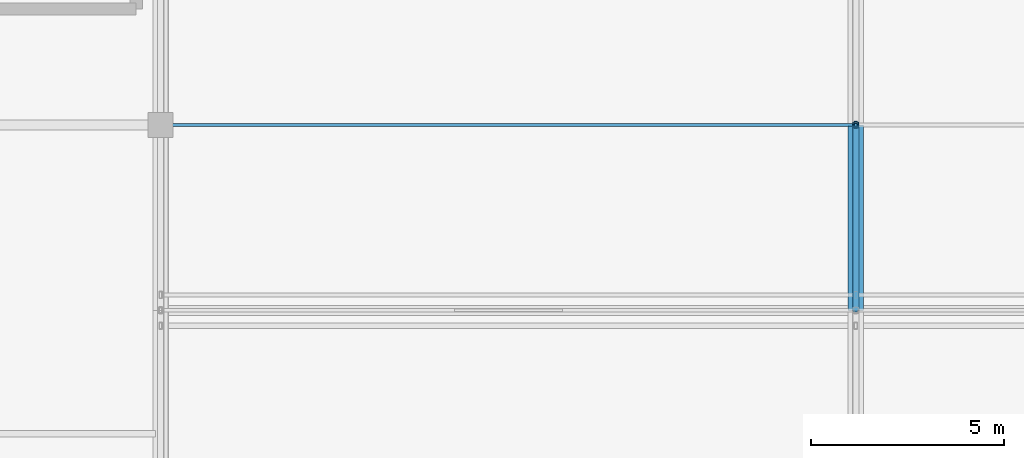
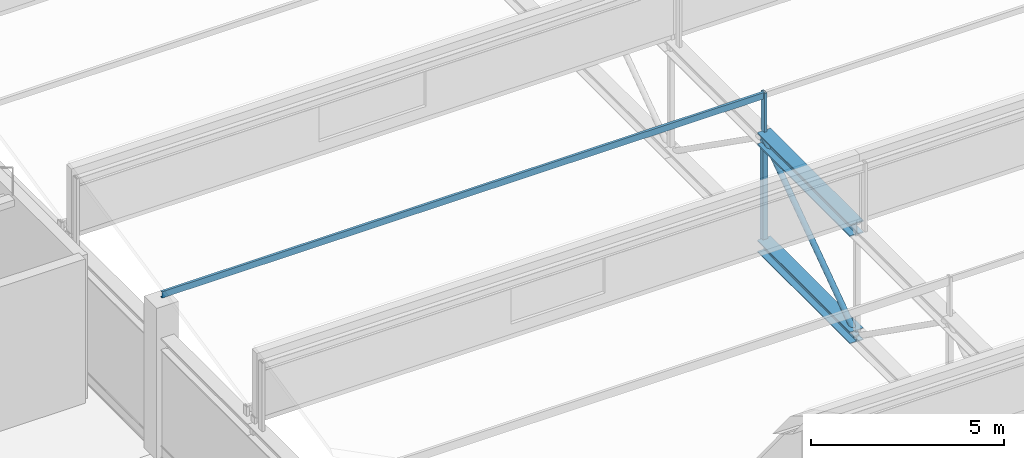
# One storey, part 20 of 136: 4 members, 2 beams.
"""IFC4 building model written with IfcOpenShell, lengths in metres."""

import ifcopenshell
import ifcopenshell.guid

model = None  # the IFC model being written
_history = None  # IfcOwnerHistory: only IFC2X3 demands one
_inside = {}  # id of a spatial element -> (the spatial element, [elements in it])
_under = {}  # id of a project, library or spatial element -> (it, [spatial elements below it])
_declared = {}  # id of a project -> (the project, [libraries it declares])
_typed = {}  # id of a type object -> (the type object, [elements of that type])
_made_of = {}  # id of a material, layer set ... -> (it, [elements and type objects made of it])


def new_model(schema):
    """Start an empty IFC model of exactly this schema.

    Asked for "IFC4X3", IfcOpenShell would pick the latest addendum, in which some entities
    have other attributes; the version numbers below select the first issue.
    IFC2X3 requires an IfcOwnerHistory on every rooted entity: one is made here for all.
    """
    global model, _history
    if schema == "IFC4X3":
        model = ifcopenshell.file(schema_version=(4, 3, 0, 0))
    else:
        model = ifcopenshell.file(schema=schema)
    _inside.clear()
    _under.clear()
    _declared.clear()
    _typed.clear()
    _made_of.clear()
    _history = None
    if model.schema == "IFC2X3":
        org = make("IfcOrganization", Name="unknown")
        user = make(
            "IfcPersonAndOrganization",
            ThePerson=make("IfcPerson", FamilyName="unknown"),
            TheOrganization=org,
        )
        app = make(
            "IfcApplication",
            ApplicationDeveloper=org,
            Version="unknown",
            ApplicationFullName="unknown",
            ApplicationIdentifier="unknown",
        )
        _history = make(
            "IfcOwnerHistory",
            OwningUser=user,
            OwningApplication=app,
            ChangeAction="ADDED",
            CreationDate=0,
        )
    return model


def make(cls, **values):
    """One entity of the class cls with the attributes given. An attribute that is None is left unset."""
    return model.create_entity(
        cls, **{name: value for name, value in values.items() if value is not None}
    )


def rooted(cls, **values):
    """An entity with a GlobalId (a new one), such as an element, a storey or a relation."""
    return make(cls, GlobalId=ifcopenshell.guid.new(), OwnerHistory=_history, **values)


def si_unit(unit_type, name, prefix=None):
    """IfcSIUnit, for example si_unit("LENGTHUNIT", "METRE", prefix="MILLI")."""
    return make("IfcSIUnit", UnitType=unit_type, Prefix=prefix, Name=name)


def assignment(units):
    """IfcUnitAssignment: the units of a project."""
    return None if units is None else make("IfcUnitAssignment", Units=units)


def point(xyz):
    """IfcCartesianPoint."""
    return None if xyz is None else make("IfcCartesianPoint", Coordinates=xyz)


def direction(xyz):
    """IfcDirection."""
    return None if xyz is None else make("IfcDirection", DirectionRatios=xyz)


def frame(location, z_axis=None, x_axis=None):
    """IfcAxis2Placement3D, a coordinate frame: its origin and axes. An axis left out is left unset."""
    return make(
        "IfcAxis2Placement3D",
        Location=point(location),
        Axis=direction(z_axis),
        RefDirection=direction(x_axis),
    )


def frame_2d(location, x_axis=None):
    """IfcAxis2Placement2D, a coordinate frame in the plane: its origin and x axis."""
    return make(
        "IfcAxis2Placement2D", Location=point(location), RefDirection=direction(x_axis)
    )


def origin():
    """The frame at (0, 0, 0) with its axes left unset."""
    return frame((0.0, 0.0, 0.0))


def origin_2d():
    """The frame at (0, 0) in the plane with its x axis left unset."""
    return frame_2d((0.0, 0.0))


def place(relative_to, where):
    """IfcLocalPlacement: puts the frame where relative to a parent placement (None: the world)."""
    return make(
        "IfcLocalPlacement", PlacementRelTo=relative_to, RelativePlacement=where
    )


def context(
    kind, dimensions, precision=None, world=None, true_north=None, identifier=None
):
    """IfcGeometricRepresentationContext, for example the 3D "Model" context."""
    return make(
        "IfcGeometricRepresentationContext",
        ContextIdentifier=identifier,
        ContextType=kind,
        CoordinateSpaceDimension=dimensions,
        Precision=precision,
        WorldCoordinateSystem=world,
        TrueNorth=true_north,
    )


def subcontext(parent, identifier, kind, view, scale=None):
    """IfcGeometricRepresentationSubContext, for example "Body" below "Model"."""
    return make(
        "IfcGeometricRepresentationSubContext",
        ContextIdentifier=identifier,
        ContextType=kind,
        ParentContext=parent,
        TargetScale=scale,
        TargetView=view,
    )


def project(units=None, contexts=None):
    """IfcProject with its units and contexts."""
    return rooted(
        "IfcProject",
        Name="project",
        RepresentationContexts=contexts,
        UnitsInContext=assignment(units),
    )


def spatial(cls, under=None, at=None, **own):
    """A site, building, storey or space (cls), placed at a placement, below another one or the project."""
    s = rooted(cls, ObjectPlacement=at, **own)
    if under is not None:
        _under.setdefault(under.id(), (under, []))[1].append(s)
    return s


def profile(cls, at=None, kind="AREA", **sizes):
    """A parametric profile (cls). Its sizes go by their IFC names, for example OverallWidth=200.0."""
    return make(cls, ProfileType=kind, Position=at, **sizes)


def hollow_rectangle(**sizes):
    """IfcRectangleHollowProfileDef."""
    return profile("IfcRectangleHollowProfileDef", **sizes)


def hollow_circle(**sizes):
    """IfcCircleHollowProfileDef."""
    return profile("IfcCircleHollowProfileDef", **sizes)


def i_section(**sizes):
    """IfcIShapeProfileDef."""
    return profile("IfcIShapeProfileDef", **sizes)


def u_section(**sizes):
    """IfcUShapeProfileDef."""
    return profile("IfcUShapeProfileDef", **sizes)


def extrude(swept, where, along, depth):
    """IfcExtrudedAreaSolid: the profile swept, set in the frame where, extruded along a direction by depth."""
    return make(
        "IfcExtrudedAreaSolid",
        SweptArea=swept,
        Position=where,
        ExtrudedDirection=direction(along),
        Depth=depth,
    )


def shape(context_of_items, identifier, shape_type, items):
    """IfcShapeRepresentation: the items that make up one representation, for example the "Body"."""
    return make(
        "IfcShapeRepresentation",
        ContextOfItems=context_of_items,
        RepresentationIdentifier=identifier,
        RepresentationType=shape_type,
        Items=items,
    )


def material(Name=None, Category=None):
    """IfcMaterial."""
    return make("IfcMaterial", Name=Name, Category=Category)


def material_profile(
    of_material, cross_section, Name=None, Category=None, Priority=None
):
    """IfcMaterialProfile: a cross section and its material."""
    return make(
        "IfcMaterialProfile",
        Name=Name,
        Material=of_material,
        Profile=cross_section,
        Priority=Priority,
        Category=Category,
    )


def profile_set(profiles, Name=None, composite=None):
    """IfcMaterialProfileSet."""
    return make(
        "IfcMaterialProfileSet",
        Name=Name,
        MaterialProfiles=profiles,
        CompositeProfile=composite,
    )


def made_of(thing, what):
    """Note that an element or type object is made of a material, layer set ...; save() writes the relation."""
    if what is not None:
        _made_of.setdefault(what.id(), (what, []))[1].append(thing)
    return thing


def type_object(cls, material=None, **own):
    """A type object (cls), such as IfcWallType, which elements share."""
    return made_of(rooted(cls, **own), material)


def element(
    cls,
    number,
    at=None,
    inside=None,
    cuts=None,
    type_object=None,
    material=None,
    context=None,
    identifier="Body",
    shape_type=None,
    held_by="IfcProductDefinitionShape",
    body=None,
    shapes=None,
    **own,
):
    """One element of the class cls, such as IfcWall. Its Tag is "e" and its number.

    at: its placement. inside: the storey or other place that contains it. cuts: it is an
    opening in that element (IfcRelVoidsElement). A single representation is given by context,
    identifier, shape_type and body (its items); several are given by shapes. held_by: the class
    of the entity that holds the representations. save() writes the other relations.
    """
    e = rooted(cls, Tag="e%d" % number, ObjectPlacement=at, **own)
    if body is not None:
        shapes = [shape(context, identifier, shape_type, body)]
    if shapes is not None:
        e.Representation = make(held_by, Representations=shapes)
    if inside is not None:
        _inside.setdefault(inside.id(), (inside, []))[1].append(e)
    if cuts is not None:
        rooted(
            "IfcRelVoidsElement", RelatingBuildingElement=cuts, RelatedOpeningElement=e
        )
    if type_object is not None:
        _typed.setdefault(type_object.id(), (type_object, []))[1].append(e)
    return made_of(e, material)


def aggregate(whole, parts):
    """IfcRelAggregates: a whole, such as a stair, and the parts it consists of."""
    return rooted("IfcRelAggregates", RelatingObject=whole, RelatedObjects=parts)


def save(model, path):
    """Write the relations noted so far, then the file.

    IfcRelAggregates (storeys below a building ...), IfcRelContainedInSpatialStructure (elements
    in a storey), IfcRelDefinesByType, IfcRelAssociatesMaterial and IfcRelDeclares: one each for
    every whole, place, type object, material and project.
    """
    for whole, parts in _under.values():
        aggregate(whole, parts)
    for where, things in _inside.values():
        rooted(
            "IfcRelContainedInSpatialStructure",
            RelatedElements=things,
            RelatingStructure=where,
        )
    for kind, things in _typed.values():
        rooted("IfcRelDefinesByType", RelatedObjects=things, RelatingType=kind)
    for what, things in _made_of.values():
        rooted("IfcRelAssociatesMaterial", RelatedObjects=things, RelatingMaterial=what)
    for by, libraries in _declared.values():
        rooted("IfcRelDeclares", RelatingContext=by, RelatedDefinitions=libraries)
    model.write(path)


model = new_model("IFC4")

# Units and contexts
model_context = context("Model", 3, precision=1e-05, world=origin(), true_north=direction((0.0, 1.0)))
body_context = subcontext(model_context, "Body", "Model", "MODEL_VIEW")
ifc_project = project(units=[si_unit("LENGTHUNIT", "METRE"), si_unit("AREAUNIT", "SQUARE_METRE"), si_unit("VOLUMEUNIT", "CUBIC_METRE"), si_unit("PLANEANGLEUNIT", "RADIAN"), si_unit("MASSUNIT", "GRAM", prefix="KILO")], contexts=[model_context])

# Site, building, storey
site_placement = place(None, origin())
site = spatial("IfcSite", under=ifc_project, at=site_placement, CompositionType="ELEMENT")
building_placement = place(site_placement, origin())
building = spatial("IfcBuilding", under=site, at=building_placement, Name="Kisiwana Market Hall", CompositionType="ELEMENT")
storey_placement = place(building_placement, frame((0.0, 0.0, 16.800048828125)))
storey = spatial("IfcBuildingStorey", under=building, at=storey_placement, Name="L03", CompositionType="ELEMENT", Elevation=16.800048828125)

# Beams
ifc_material_1 = material(Name="Steel S355", Category="steel")
ifc_material_profile_1 = material_profile(ifc_material_1, i_section(OverallWidth=0.394775390625, OverallDepth=0.381103515625, WebThickness=0.018310546875, FlangeThickness=0.0302734375, at=origin_2d()), Name="UC 356x406x235")
ifc_profile_set_1 = profile_set([ifc_material_profile_1], Name="Steel S355")
beam_type_1 = type_object("IfcBeamType", Name="BM-TRUSS-BOT", PredefinedType="USERDEFINED", material=ifc_profile_set_1)
beam_1_placement = place(storey_placement, frame((63.0, 55.199951171875, 0.22998046875), z_axis=(0.0, 1.0, 0.0), x_axis=(-1.0, 0.0, 0.0)))
element("IfcBeam", 1, at=beam_1_placement, inside=storey, type_object=beam_type_1, Name="TR-02 BC panel 5 B-1202", ObjectType="ROOF TRUSS", PredefinedType="USERDEFINED", context=body_context, shape_type="SweptSolid", body=[
    extrude(i_section(OverallWidth=0.394775390625, OverallDepth=0.381103515625, WebThickness=0.018310546875, FlangeThickness=0.0302734375, at=origin_2d()), origin(), (0.0, 0.0, 1.0), 4.800048828125),
])
ifc_material_2 = material(Name="Steel S355", Category="steel")
ifc_material_profile_2 = material_profile(ifc_material_2, i_section(OverallWidth=0.39892578125, OverallDepth=0.3935546875, WebThickness=0.022705078125, FlangeThickness=0.03662109375, at=origin_2d()), Name="UC 356x406x287")
ifc_profile_set_2 = profile_set([ifc_material_profile_2], Name="Steel S355")
beam_type_2 = type_object("IfcBeamType", Name="BM-TRUSS-TOP", PredefinedType="USERDEFINED", material=ifc_profile_set_2)
beam_2_placement = place(storey_placement, frame((63.0, 55.199951171875, 3.619873046875), z_axis=(0.0, 1.0, 0.0), x_axis=(-1.0, 0.0, 0.0)))
element("IfcBeam", 2, at=beam_2_placement, inside=storey, type_object=beam_type_2, Name="TR-02 TC panel 5 B-1212", ObjectType="ROOF TRUSS", PredefinedType="USERDEFINED", context=body_context, shape_type="SweptSolid", body=[
    extrude(i_section(OverallWidth=0.39892578125, OverallDepth=0.3935546875, WebThickness=0.022705078125, FlangeThickness=0.03662109375, at=origin_2d()), origin(), (0.0, 0.0, 1.0), 4.800048828125),
])

# Members
ifc_material_3 = material(Name="Steel S355", Category="steel")
ifc_material_profile_3 = material_profile(ifc_material_3, hollow_rectangle(XDim=0.080078125, YDim=0.179931640625, WallThickness=0.00634765625, at=origin_2d()), Name="RHS 180x80x6.3")
ifc_profile_set_3 = profile_set([ifc_material_profile_3], Name="Steel S355")
member_type_1 = type_object("IfcMemberType", Name="MB-CAN-STRUT", PredefinedType="STRUT", material=ifc_profile_set_3)
member_1_placement = place(storey_placement, frame((63.0, 60.0, 3.619873046875), z_axis=(0.0, 0.0, 1.0), x_axis=(1.0, 0.0, 0.0)))
element("IfcMember", 3, at=member_1_placement, inside=storey, type_object=member_type_1, Name="Sawtooth mid-slope raker post 31 M-0069", PredefinedType="STRUT", context=body_context, shape_type="SweptSolid", body=[
    extrude(hollow_rectangle(XDim=0.080078125, YDim=0.179931640625, WallThickness=0.00634765625, at=origin_2d()), origin(), (0.0, 0.0, 1.0), 1.42041015625),
])
ifc_material_4 = material(Name="Steel S355", Category="steel")
ifc_material_profile_4 = material_profile(ifc_material_4, u_section(Depth=0.199951171875, FlangeWidth=0.074951171875, WebThickness=0.006103515625, FlangeThickness=0.012451171875, at=origin_2d()), Name="PFC 200x75x23")
ifc_profile_set_4 = profile_set([ifc_material_profile_4], Name="Steel S355")
member_type_2 = type_object("IfcMemberType", Name="MB-PURL-PFC200", PredefinedType="PURLIN", material=ifc_profile_set_4)
member_2_placement = place(storey_placement, frame((45.0, 60.0, 4.936279296875), z_axis=(1.0, 0.0, 0.0), x_axis=(0.0, 1.0, 0.0)))
element("IfcMember", 4, at=member_2_placement, inside=storey, type_object=member_type_2, Name="Sawtooth mid-slope roof purlin 37 M-0105", PredefinedType="PURLIN", context=body_context, shape_type="SweptSolid", body=[
    extrude(u_section(Depth=0.199951171875, FlangeWidth=0.074951171875, WebThickness=0.006103515625, FlangeThickness=0.012451171875, at=origin_2d()), origin(), (0.0, 0.0, 1.0), 18.0),
])
ifc_material_5 = material(Name="Steel S355", Category="steel")
ifc_material_profile_5 = material_profile(ifc_material_5, hollow_circle(Radius=0.084228515625, WallThickness=0.010009765625, at=origin_2d()), Name="CHS 168.3x10.0")
ifc_profile_set_5 = profile_set([ifc_material_profile_5], Name="Steel S355")
member_type_3 = type_object("IfcMemberType", Name="MB-TR-DIAG168", PredefinedType="BRACE", material=ifc_profile_set_5)
member_3_placement = place(storey_placement, frame((63.0, 55.199951171875, 0.22998046875), z_axis=(0.0, 0.816837735077, 0.576867501732), x_axis=(-1.0, 0.0, 0.0)))
element("IfcMember", 5, at=member_3_placement, inside=storey, type_object=member_type_3, Name="TR-02 diagonal 5 M-0359", PredefinedType="BRACE", context=body_context, shape_type="SweptSolid", body=[
    extrude(hollow_circle(Radius=0.084228515625, WallThickness=0.010009765625, at=origin_2d()), origin(), (0.0, 0.0, 1.0), 5.87646484375),
])
ifc_material_6 = material(Name="Steel S355", Category="steel")
ifc_material_profile_6 = material_profile(ifc_material_6, hollow_rectangle(XDim=0.14990234375, YDim=0.14990234375, WallThickness=0.008056640625, at=origin_2d()), Name="SHS 150x150x8.0")
ifc_profile_set_6 = profile_set([ifc_material_profile_6], Name="Steel S355")
member_type_4 = type_object("IfcMemberType", Name="MB-TR-STRUT200", PredefinedType="STRUT", material=ifc_profile_set_6)
member_4_placement = place(storey_placement, frame((63.0, 60.0, 0.22998046875), z_axis=(0.0, 0.0, 1.0), x_axis=(1.0, 0.0, 0.0)))
element("IfcMember", 6, at=member_4_placement, inside=storey, type_object=member_type_4, Name="TR-02 vertical strut 6 M-0369", PredefinedType="STRUT", context=body_context, shape_type="SweptSolid", body=[
    extrude(hollow_rectangle(XDim=0.14990234375, YDim=0.14990234375, WallThickness=0.008056640625, at=origin_2d()), origin(), (0.0, 0.0, 1.0), 3.389892578125),
])

save(model, "model.ifc")
